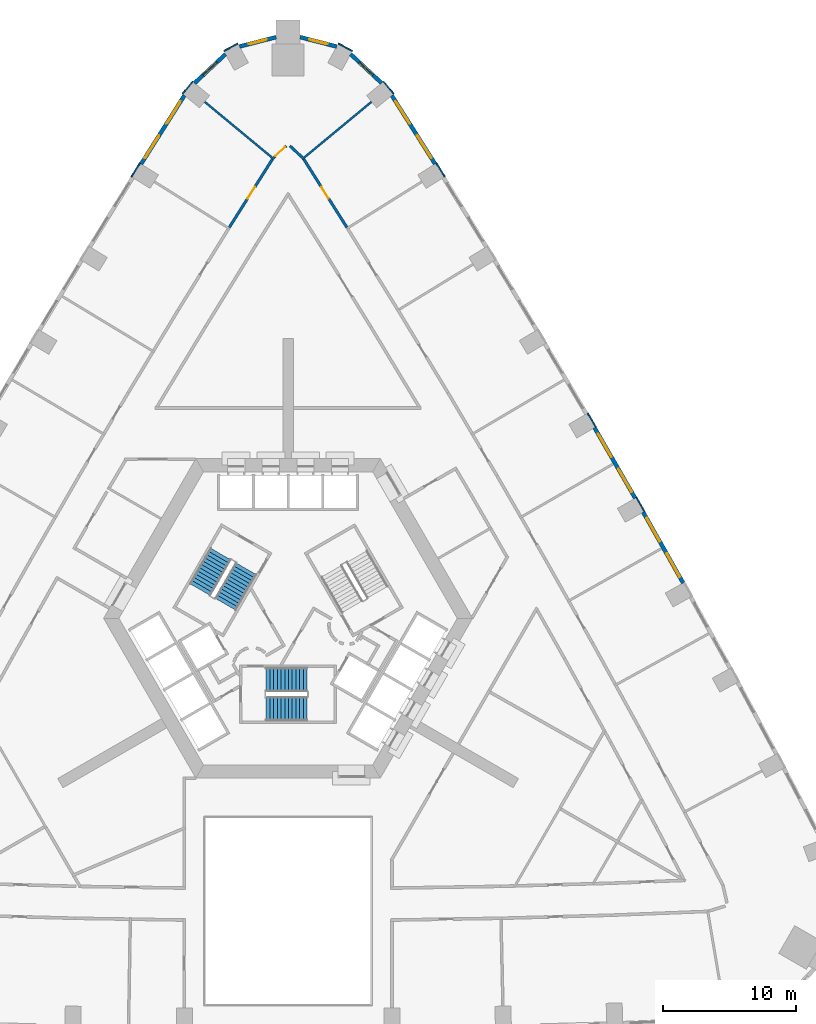
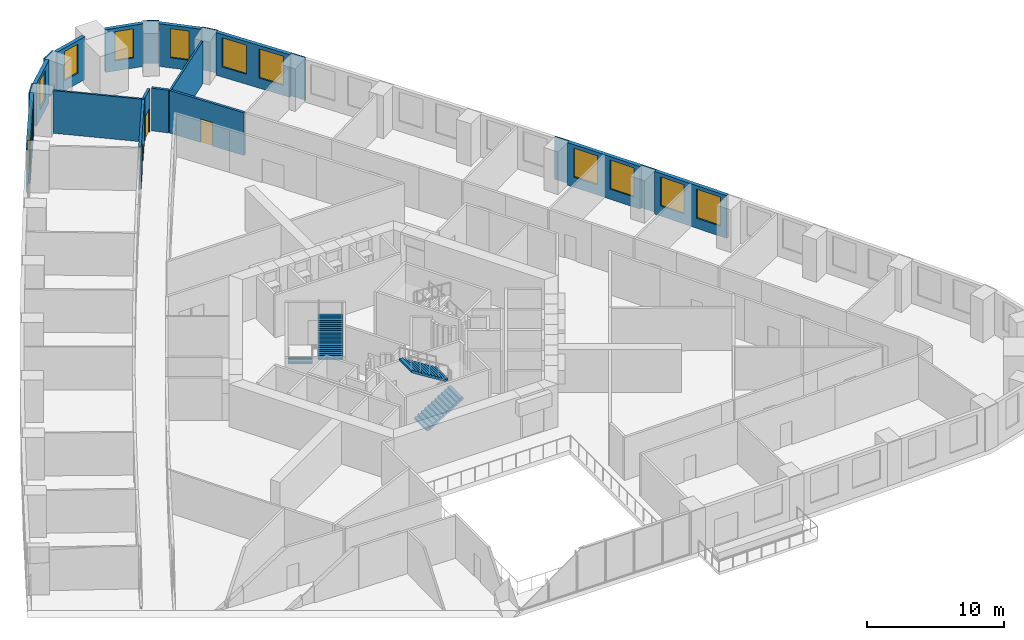
# One storey, part 12 of 15: 22 walls, 12 windows, 4 stair flights, 3 doors, 15 openings, 2 elements without a shape of their own.
"""IFC4 building model written with IfcOpenShell, lengths in metres."""

from ifc_helpers import new_model, si_unit, direction, frame, frame_2d, origin, place, context, subcontext, project, spatial, polyline, rectangle, outline, extrude, material, layer, layer_set, type_object, element, fill, aggregate, save


model = new_model("IFC4")

# Units and contexts
model_context = context("Model", 3, precision=1e-05, world=origin(), true_north=direction((0.0, 1.0)))
body_context = subcontext(model_context, "Body", "Model", "MODEL_VIEW")
ifc_project = project(units=[si_unit("LENGTHUNIT", "METRE"), si_unit("AREAUNIT", "SQUARE_METRE"), si_unit("VOLUMEUNIT", "CUBIC_METRE"), si_unit("PLANEANGLEUNIT", "RADIAN"), si_unit("MASSUNIT", "GRAM", prefix="KILO")], contexts=[model_context])

# Site, building, storey
site_placement = place(None, origin())
site = spatial("IfcSite", under=ifc_project, at=site_placement, CompositionType="ELEMENT")
building_placement = place(site_placement, origin())
building = spatial("IfcBuilding", under=site, at=building_placement, Name="Entoto Arch Interchange Tower", CompositionType="ELEMENT")
storey_placement = place(building_placement, frame((0.0, 0.0, 39.199951171875)))
storey = spatial("IfcBuildingStorey", under=building, at=storey_placement, Name="L07", CompositionType="ELEMENT", Elevation=39.199951171875)

# Walls
ifc_material_1 = material(Name="Gypsum board partition on steel studs", Category="steel")
ifc_layer_1 = layer(ifc_material_1, 0.14990234375)
ifc_layer_set_1 = layer_set([ifc_layer_1], Name="Gypsum board partition on steel studs")
wall_type_1 = type_object("IfcWallType", Name="PARTITION 150", PredefinedType="PARTITIONING", material=ifc_layer_set_1)
for number, where, z_axis, x_axis, name in (
    (1, (1.06005859375, 36.97998046875, 0.0), (0.0, 0.0, 1.0), (0.770307911054, 0.6376721118, 0.0), "wall:L07:p135"),
    (2, (-1.06005859375, 36.97998046875, 0.0), (0.0, 0.0, 1.0), (-0.770307911054, 0.6376721118, 0.0), "wall:L07:p136"),
):
    element("IfcWall", number, at=place(storey_placement, frame(where, z_axis=z_axis, x_axis=x_axis)), inside=storey, type_object=wall_type_1, Name=name, PredefinedType="PARTITIONING", context=body_context, shape_type="SweptSolid", body=[
        extrude(rectangle(XDim=6.748046875, YDim=0.14990234375, at=frame_2d((3.3740234375, 0.0))), origin(), (0.0, 0.0, 1.0), 3.800048828125),
    ])

# Wall, opening, door
ifc_layer_2 = layer(ifc_material_1, 0.199951171875)
ifc_layer_set_2 = layer_set([ifc_layer_2], Name="Gypsum board partition on steel studs")
wall_type_2 = type_object("IfcWallType", Name="PARTITION 200", PredefinedType="PARTITIONING", material=ifc_layer_set_2)
wall_1_placement = place(storey_placement, frame((1.123046875, 37.06494140625, 0.0), z_axis=(0.0, 0.0, 1.0), x_axis=(0.534428477307, -0.845213702352, 0.0)))
wall_1 = element("IfcWall", 3, at=wall_1_placement, inside=storey, type_object=wall_type_2, Name="wall:L07:p052", PredefinedType="PARTITIONING", context=body_context, shape_type="SweptSolid", body=[
    extrude(rectangle(XDim=6.157958984375, YDim=0.199951171875, at=frame_2d((3.0791015625, 0.0))), origin(), (0.0, 0.0, 1.0), 3.800048828125),
])
opening_1_placement = place(wall_1_placement, frame((2.5791015625, 0.0, 0.0)))
opening_1 = element("IfcOpeningElement", 4, at=opening_1_placement, cuts=wall_1, Name="Opening L07-D10", PredefinedType="OPENING", context=body_context, shape_type="SweptSolid", body=[
    extrude(rectangle(XDim=1.0, YDim=2.10009765625, at=frame_2d((0.5, 1.050048828125))), frame((0.0, 0.10986328125, 0.0), z_axis=(0.0, -1.0, 0.0), x_axis=(1.0, 0.0, 0.0)), (0.0, 0.0, 1.0), 0.219970703125),
])
ifc_material_2 = material(Name="Timber door leaf in Steel S235 frame", Category="steel")
door_type = type_object("IfcDoorType", Name="DOOR DS-10 1000x2100", OperationType="SINGLE_SWING_LEFT", PredefinedType="DOOR", material=ifc_material_2)
door_1_placement = place(opening_1_placement, origin())
door_1 = element("IfcDoor", 5, at=door_1_placement, inside=storey, type_object=door_type, Name="door:L07:10", OperationType="SINGLE_SWING_LEFT", OverallHeight=2.10009765625, OverallWidth=1.0, PredefinedType="DOOR", context=body_context, shape_type="SweptSolid", body=[
    extrude(rectangle(XDim=1.0, YDim=2.10009765625, at=frame_2d((0.5, 1.050048828125))), frame((0.0, 0.02490234375, 0.0), z_axis=(0.0, -1.0, 0.0), x_axis=(1.0, 0.0, 0.0)), (0.0, 0.0, 1.0), 0.050048828125),
])
fill(opening_1, door_1)

wall_2_placement = place(storey_placement, frame((-1.06396484375, 37.112060546875, 0.0), z_axis=(0.0, 0.0, 1.0), x_axis=(0.730320833825, 0.683104296342, 0.0)))
wall_2 = element("IfcWall", 6, at=wall_2_placement, inside=storey, type_object=wall_type_2, Name="wall:L07:p053", PredefinedType="PARTITIONING", context=body_context, shape_type="SweptSolid", body=[
    extrude(rectangle(XDim=1.27197265625, YDim=0.199951171875, at=frame_2d((0.635986328125, 0.0))), origin(), (0.0, 0.0, 1.0), 3.800048828125),
])
opening_2_placement = place(wall_2_placement, frame((0.135986328125, 0.0, 0.0)))
opening_2 = element("IfcOpeningElement", 7, at=opening_2_placement, cuts=wall_2, Name="Opening L07-D11", PredefinedType="OPENING", context=body_context, shape_type="SweptSolid", body=[
    extrude(rectangle(XDim=1.0, YDim=2.10009765625, at=frame_2d((0.5, 1.050048828125))), frame((0.0, 0.10986328125, 0.0), z_axis=(0.0, -1.0, 0.0), x_axis=(1.0, 0.0, 0.0)), (0.0, 0.0, 1.0), 0.219970703125),
])
door_2_placement = place(opening_2_placement, origin())
door_2 = element("IfcDoor", 8, at=door_2_placement, inside=storey, type_object=door_type, Name="door:L07:11", OperationType="SINGLE_SWING_RIGHT", OverallHeight=2.10009765625, OverallWidth=1.0, PredefinedType="DOOR", context=body_context, shape_type="SweptSolid", body=[
    extrude(rectangle(XDim=1.0, YDim=2.10009765625, at=frame_2d((0.5, 1.050048828125))), frame((0.0, 0.02490234375, 0.0), z_axis=(0.0, -1.0, 0.0), x_axis=(1.0, 0.0, 0.0)), (0.0, 0.0, 1.0), 0.050048828125),
])
fill(opening_2, door_2)

# Wall
wall_3_placement = place(storey_placement, frame((0.135009765625, 37.98095703125, 0.0), z_axis=(0.0, 0.0, 1.0), x_axis=(0.730320833825, -0.683104296342, 0.0)))
element("IfcWall", 9, at=wall_3_placement, inside=storey, type_object=wall_type_2, Name="wall:L07:p054", PredefinedType="PARTITIONING", context=body_context, shape_type="SweptSolid", body=[
    extrude(rectangle(XDim=1.27197265625, YDim=0.199951171875, at=frame_2d((0.635986328125, 0.0))), origin(), (0.0, 0.0, 1.0), 3.800048828125),
])

# Wall, opening, door
wall_4_placement = place(storey_placement, frame((-4.4140625, 31.860107421875, 0.0), z_axis=(0.0, 0.0, 1.0), x_axis=(0.534428477307, 0.845213702352, 0.0)))
wall_4 = element("IfcWall", 10, at=wall_4_placement, inside=storey, type_object=wall_type_2, Name="wall:L07:p055", PredefinedType="PARTITIONING", context=body_context, shape_type="SweptSolid", body=[
    extrude(rectangle(XDim=6.157958984375, YDim=0.199951171875, at=frame_2d((3.0791015625, 0.0))), origin(), (0.0, 0.0, 1.0), 3.800048828125),
])
opening_3_placement = place(wall_4_placement, frame((2.5791015625, 0.0, 0.0)))
opening_3 = element("IfcOpeningElement", 11, at=opening_3_placement, cuts=wall_4, Name="Opening L07-D12", PredefinedType="OPENING", context=body_context, shape_type="SweptSolid", body=[
    extrude(rectangle(XDim=1.0, YDim=2.10009765625, at=frame_2d((0.5, 1.050048828125))), frame((0.0, 0.10986328125, 0.0), z_axis=(0.0, -1.0, 0.0), x_axis=(1.0, 0.0, 0.0)), (0.0, 0.0, 1.0), 0.219970703125),
])
door_3_placement = place(opening_3_placement, origin())
door_3 = element("IfcDoor", 12, at=door_3_placement, inside=storey, type_object=door_type, Name="door:L07:12", OperationType="SINGLE_SWING_LEFT", OverallHeight=2.10009765625, OverallWidth=1.0, PredefinedType="DOOR", context=body_context, shape_type="SweptSolid", body=[
    extrude(rectangle(XDim=1.0, YDim=2.10009765625, at=frame_2d((0.5, 1.050048828125))), frame((0.0, 0.02490234375, 0.0), z_axis=(0.0, -1.0, 0.0), x_axis=(1.0, 0.0, 0.0)), (0.0, 0.0, 1.0), 0.050048828125),
])
fill(opening_3, door_3)

# Wall, openings, windows
ifc_material_3 = material(Name="Welded tuff (ignimbrite) cladding, warm buff", Category="masonry")
ifc_layer_3 = layer(ifc_material_3, 0.300048828125)
ifc_layer_set_3 = layer_set([ifc_layer_3], Name="Welded tuff (ignimbrite) cladding, warm buff")
wall_type_3 = type_object("IfcWallType", Name="STONE INFILL WALL 300", PredefinedType="STANDARD", material=ifc_layer_set_3)
wall_5_placement = place(storey_placement, frame((29.672119140625, 5.154052734375, 0.0), z_axis=(0.0, 0.0, 1.0), x_axis=(-0.491278487323, 0.871002553322, 0.0)))
wall_5 = element("IfcWall", 13, at=wall_5_placement, inside=storey, type_object=wall_type_3, Name="Facade wall NE-04 L07", PredefinedType="STANDARD", context=body_context, shape_type="SweptSolid", body=[
    extrude(rectangle(XDim=6.116943359375, YDim=0.300048828125, at=frame_2d((3.05859375, 0.0))), origin(), (0.0, 0.0, 1.0), 3.800048828125),
])
opening_4_placement = place(wall_5_placement, frame((0.529052734375, 0.0, 0.89990234375)))
opening_4 = element("IfcOpeningElement", 14, at=opening_4_placement, cuts=wall_5, Name="Opening WO-C", PredefinedType="OPENING", context=body_context, shape_type="SweptSolid", body=[
    extrude(rectangle(XDim=2.0, YDim=2.60009765625, at=frame_2d((1.0, 1.300048828125))), frame((0.0, 0.16015625, 0.0), z_axis=(0.0, -1.0, 0.0), x_axis=(1.0, 0.0, 0.0)), (0.0, 0.0, 1.0), 0.320068359375),
])
opening_5_placement = place(wall_5_placement, frame((3.587890625, 0.0, 0.89990234375)))
opening_5 = element("IfcOpeningElement", 15, at=opening_5_placement, cuts=wall_5, Name="Opening WO-C", PredefinedType="OPENING", context=body_context, shape_type="SweptSolid", body=[
    extrude(rectangle(XDim=2.0, YDim=2.60009765625, at=frame_2d((1.0, 1.300048828125))), frame((0.0, 0.16015625, 0.0), z_axis=(0.0, -1.0, 0.0), x_axis=(1.0, 0.0, 0.0)), (0.0, 0.0, 1.0), 0.320068359375),
])
ifc_material_4 = material(Name="Clear glass, low-e double glazed", Category="glass")
window_type_1 = type_object("IfcWindowType", Name="WINDOW WO-C 2000x2600", PartitioningType="DOUBLE_PANEL_VERTICAL", PredefinedType="WINDOW", material=ifc_material_4)
window_1_placement = place(opening_4_placement, origin())
window_1 = element("IfcWindow", 16, at=window_1_placement, inside=storey, type_object=window_type_1, Name="Window WO-C NE-04 L07", OverallHeight=2.60009765625, OverallWidth=2.0, PartitioningType="SINGLE_PANEL", PredefinedType="WINDOW", context=body_context, shape_type="SweptSolid", body=[
    extrude(rectangle(XDim=2.0, YDim=2.60009765625, at=frame_2d((1.0, 1.300048828125))), frame((0.0, 0.030029296875, 0.0), z_axis=(0.0, -1.0, 0.0), x_axis=(1.0, 0.0, 0.0)), (0.0, 0.0, 1.0), 0.06005859375),
])
fill(opening_4, window_1)
window_2_placement = place(opening_5_placement, origin())
window_2 = element("IfcWindow", 17, at=window_2_placement, inside=storey, type_object=window_type_1, Name="Window WO-C NE-04 L07", OverallHeight=2.60009765625, OverallWidth=2.0, PartitioningType="SINGLE_PANEL", PredefinedType="WINDOW", context=body_context, shape_type="SweptSolid", body=[
    extrude(rectangle(XDim=2.0, YDim=2.60009765625, at=frame_2d((1.0, 1.300048828125))), frame((0.0, 0.030029296875, 0.0), z_axis=(0.0, -1.0, 0.0), x_axis=(1.0, 0.0, 0.0)), (0.0, 0.0, 1.0), 0.06005859375),
])
fill(opening_5, window_2)

wall_6_placement = place(storey_placement, frame((26.072998046875, 11.52197265625, 0.0), z_axis=(0.0, 0.0, 1.0), x_axis=(-0.499976985038, 0.866038691071, 0.0)))
wall_6 = element("IfcWall", 18, at=wall_6_placement, inside=storey, type_object=wall_type_3, Name="Facade wall NE-05 L07", PredefinedType="STANDARD", context=body_context, shape_type="SweptSolid", body=[
    extrude(rectangle(XDim=6.116455078125, YDim=0.300048828125, at=frame_2d((3.05810546875, 0.0))), origin(), (0.0, 0.0, 1.0), 3.800048828125),
])
opening_6_placement = place(wall_6_placement, frame((0.529052734375, 0.0, 0.89990234375)))
opening_6 = element("IfcOpeningElement", 19, at=opening_6_placement, cuts=wall_6, Name="Opening WO-C", PredefinedType="OPENING", context=body_context, shape_type="SweptSolid", body=[
    extrude(rectangle(XDim=2.0, YDim=2.60009765625, at=frame_2d((1.0, 1.300048828125))), frame((0.0, 0.16015625, 0.0), z_axis=(0.0, -1.0, 0.0), x_axis=(1.0, 0.0, 0.0)), (0.0, 0.0, 1.0), 0.320068359375),
])
opening_7_placement = place(wall_6_placement, frame((3.5869140625, 0.0, 0.89990234375)))
opening_7 = element("IfcOpeningElement", 20, at=opening_7_placement, cuts=wall_6, Name="Opening WO-C", PredefinedType="OPENING", context=body_context, shape_type="SweptSolid", body=[
    extrude(rectangle(XDim=2.0, YDim=2.60009765625, at=frame_2d((1.0, 1.300048828125))), frame((0.0, 0.16015625, 0.0), z_axis=(0.0, -1.0, 0.0), x_axis=(1.0, 0.0, 0.0)), (0.0, 0.0, 1.0), 0.320068359375),
])
window_3_placement = place(opening_6_placement, origin())
window_3 = element("IfcWindow", 21, at=window_3_placement, inside=storey, type_object=window_type_1, Name="Window WO-C NE-05 L07", OverallHeight=2.60009765625, OverallWidth=2.0, PartitioningType="SINGLE_PANEL", PredefinedType="WINDOW", context=body_context, shape_type="SweptSolid", body=[
    extrude(rectangle(XDim=2.0, YDim=2.60009765625, at=frame_2d((1.0, 1.300048828125))), frame((0.0, 0.030029296875, 0.0), z_axis=(0.0, -1.0, 0.0), x_axis=(1.0, 0.0, 0.0)), (0.0, 0.0, 1.0), 0.06005859375),
])
fill(opening_6, window_3)
window_4_placement = place(opening_7_placement, origin())
window_4 = element("IfcWindow", 22, at=window_4_placement, inside=storey, type_object=window_type_1, Name="Window WO-C NE-05 L07", OverallHeight=2.60009765625, OverallWidth=2.0, PartitioningType="SINGLE_PANEL", PredefinedType="WINDOW", context=body_context, shape_type="SweptSolid", body=[
    extrude(rectangle(XDim=2.0, YDim=2.60009765625, at=frame_2d((1.0, 1.300048828125))), frame((0.0, 0.030029296875, 0.0), z_axis=(0.0, -1.0, 0.0), x_axis=(1.0, 0.0, 0.0)), (0.0, 0.0, 1.0), 0.06005859375),
])
fill(opening_7, window_4)

wall_7_placement = place(storey_placement, frame((11.044921875, 36.623046875, 0.0), z_axis=(0.0, 0.0, 1.0), x_axis=(-0.53437888117, 0.845245059944, 0.0)))
wall_7 = element("IfcWall", 23, at=wall_7_placement, inside=storey, type_object=wall_type_3, Name="Facade wall NE-09 L07", PredefinedType="STANDARD", context=body_context, shape_type="SweptSolid", body=[
    extrude(rectangle(XDim=6.0927734375, YDim=0.300048828125, at=frame_2d((3.04638671875, 0.0))), origin(), (0.0, 0.0, 1.0), 3.800048828125),
])
opening_8_placement = place(wall_7_placement, frame((0.52294921875, 0.0, 0.89990234375)))
opening_8 = element("IfcOpeningElement", 24, at=opening_8_placement, cuts=wall_7, Name="Opening WO-C", PredefinedType="OPENING", context=body_context, shape_type="SweptSolid", body=[
    extrude(rectangle(XDim=2.0, YDim=2.60009765625, at=frame_2d((1.0, 1.300048828125))), frame((0.0, 0.16015625, 0.0), z_axis=(0.0, -1.0, 0.0), x_axis=(1.0, 0.0, 0.0)), (0.0, 0.0, 1.0), 0.320068359375),
])
opening_9_placement = place(wall_7_placement, frame((3.570068359375, 0.0, 0.89990234375)))
opening_9 = element("IfcOpeningElement", 25, at=opening_9_placement, cuts=wall_7, Name="Opening WO-C", PredefinedType="OPENING", context=body_context, shape_type="SweptSolid", body=[
    extrude(rectangle(XDim=2.0, YDim=2.60009765625, at=frame_2d((1.0, 1.300048828125))), frame((0.0, 0.16015625, 0.0), z_axis=(0.0, -1.0, 0.0), x_axis=(1.0, 0.0, 0.0)), (0.0, 0.0, 1.0), 0.320068359375),
])
window_5_placement = place(opening_8_placement, origin())
window_5 = element("IfcWindow", 26, at=window_5_placement, inside=storey, type_object=window_type_1, Name="Window WO-C NE-09 L07", OverallHeight=2.60009765625, OverallWidth=2.0, PartitioningType="SINGLE_PANEL", PredefinedType="WINDOW", context=body_context, shape_type="SweptSolid", body=[
    extrude(rectangle(XDim=2.0, YDim=2.60009765625, at=frame_2d((1.0, 1.300048828125))), frame((0.0, 0.030029296875, 0.0), z_axis=(0.0, -1.0, 0.0), x_axis=(1.0, 0.0, 0.0)), (0.0, 0.0, 1.0), 0.06005859375),
])
fill(opening_8, window_5)
window_6_placement = place(opening_9_placement, origin())
window_6 = element("IfcWindow", 27, at=window_6_placement, inside=storey, type_object=window_type_1, Name="Window WO-C NE-09 L07", OverallHeight=2.60009765625, OverallWidth=2.0, PartitioningType="SINGLE_PANEL", PredefinedType="WINDOW", context=body_context, shape_type="SweptSolid", body=[
    extrude(rectangle(XDim=2.0, YDim=2.60009765625, at=frame_2d((1.0, 1.300048828125))), frame((0.0, 0.030029296875, 0.0), z_axis=(0.0, -1.0, 0.0), x_axis=(1.0, 0.0, 0.0)), (0.0, 0.0, 1.0), 0.06005859375),
])
fill(opening_9, window_6)

# Wall, opening, window
wall_8_placement = place(storey_placement, frame((7.02490234375, 42.696044921875, 0.0), z_axis=(0.0, 0.0, 1.0), x_axis=(-0.730600984463, 0.682804658377, 0.0)))
wall_8 = element("IfcWall", 28, at=wall_8_placement, inside=storey, type_object=wall_type_3, Name="Facade wall N-01 L07", PredefinedType="STANDARD", context=body_context, shape_type="SweptSolid", body=[
    extrude(rectangle(XDim=3.18212890625, YDim=0.300048828125, at=frame_2d((1.591064453125, 0.0))), origin(), (0.0, 0.0, 1.0), 3.800048828125),
])
opening_10_placement = place(wall_8_placement, frame((0.89111328125, 0.0, 0.89990234375)))
opening_10 = element("IfcOpeningElement", 29, at=opening_10_placement, cuts=wall_8, Name="Opening WO-B", PredefinedType="OPENING", context=body_context, shape_type="SweptSolid", body=[
    extrude(rectangle(XDim=1.39990234375, YDim=2.60009765625, at=frame_2d((0.699951171875, 1.300048828125))), frame((0.0, 0.16015625, 0.0), z_axis=(0.0, -1.0, 0.0), x_axis=(1.0, 0.0, 0.0)), (0.0, 0.0, 1.0), 0.320068359375),
])
window_type_2 = type_object("IfcWindowType", Name="WINDOW WO-B 1400x2600", PartitioningType="DOUBLE_PANEL_VERTICAL", PredefinedType="WINDOW", material=ifc_material_4)
window_7_placement = place(opening_10_placement, origin())
window_7 = element("IfcWindow", 30, at=window_7_placement, inside=storey, type_object=window_type_2, Name="Window WO-B N-01 L07", OverallHeight=2.60009765625, OverallWidth=1.39990234375, PartitioningType="SINGLE_PANEL", PredefinedType="WINDOW", context=body_context, shape_type="SweptSolid", body=[
    extrude(rectangle(XDim=1.39990234375, YDim=2.60009765625, at=frame_2d((0.699951171875, 1.300048828125))), frame((0.0, 0.030029296875, 0.0), z_axis=(0.0, -1.0, 0.0), x_axis=(1.0, 0.0, 0.0)), (0.0, 0.0, 1.0), 0.06005859375),
])
fill(opening_10, window_7)

wall_9_placement = place(storey_placement, frame((3.64990234375, 45.444091796875, 0.0), z_axis=(0.0, 0.0, 1.0), x_axis=(-0.96879262207, 0.247872659694, 0.0)))
wall_9 = element("IfcWall", 31, at=wall_9_placement, inside=storey, type_object=wall_type_3, Name="Facade wall N-02 L07", PredefinedType="STANDARD", context=body_context, shape_type="SweptSolid", body=[
    extrude(rectangle(XDim=2.839599609375, YDim=0.300048828125, at=frame_2d((1.419921875, 0.0))), origin(), (0.0, 0.0, 1.0), 3.800048828125),
])
opening_11_placement = place(wall_9_placement, frame((0.719970703125, 0.0, 0.89990234375)))
opening_11 = element("IfcOpeningElement", 32, at=opening_11_placement, cuts=wall_9, Name="Opening WO-B", PredefinedType="OPENING", context=body_context, shape_type="SweptSolid", body=[
    extrude(rectangle(XDim=1.39990234375, YDim=2.60009765625, at=frame_2d((0.699951171875, 1.300048828125))), frame((0.0, 0.16015625, 0.0), z_axis=(0.0, -1.0, 0.0), x_axis=(1.0, 0.0, 0.0)), (0.0, 0.0, 1.0), 0.320068359375),
])
window_8_placement = place(opening_11_placement, origin())
window_8 = element("IfcWindow", 33, at=window_8_placement, inside=storey, type_object=window_type_2, Name="Window WO-B N-02 L07", OverallHeight=2.60009765625, OverallWidth=1.39990234375, PartitioningType="SINGLE_PANEL", PredefinedType="WINDOW", context=body_context, shape_type="SweptSolid", body=[
    extrude(rectangle(XDim=1.39990234375, YDim=2.60009765625, at=frame_2d((0.699951171875, 1.300048828125))), frame((0.0, 0.030029296875, 0.0), z_axis=(0.0, -1.0, 0.0), x_axis=(1.0, 0.0, 0.0)), (0.0, 0.0, 1.0), 0.06005859375),
])
fill(opening_11, window_8)

wall_10_placement = place(storey_placement, frame((-0.89892578125, 46.14794921875, 0.0), z_axis=(0.0, 0.0, 1.0), x_axis=(-0.96879262207, -0.247872659694, 0.0)))
wall_10 = element("IfcWall", 34, at=wall_10_placement, inside=storey, type_object=wall_type_3, Name="Facade wall N-03 L07", PredefinedType="STANDARD", context=body_context, shape_type="SweptSolid", body=[
    extrude(rectangle(XDim=2.839599609375, YDim=0.300048828125, at=frame_2d((1.419921875, 0.0))), origin(), (0.0, 0.0, 1.0), 3.800048828125),
])
opening_12_placement = place(wall_10_placement, frame((0.719970703125, 0.0, 0.89990234375)))
opening_12 = element("IfcOpeningElement", 35, at=opening_12_placement, cuts=wall_10, Name="Opening WO-B", PredefinedType="OPENING", context=body_context, shape_type="SweptSolid", body=[
    extrude(rectangle(XDim=1.39990234375, YDim=2.60009765625, at=frame_2d((0.699951171875, 1.300048828125))), frame((0.0, 0.16015625, 0.0), z_axis=(0.0, -1.0, 0.0), x_axis=(1.0, 0.0, 0.0)), (0.0, 0.0, 1.0), 0.320068359375),
])
window_9_placement = place(opening_12_placement, origin())
window_9 = element("IfcWindow", 36, at=window_9_placement, inside=storey, type_object=window_type_2, Name="Window WO-B N-03 L07", OverallHeight=2.60009765625, OverallWidth=1.39990234375, PartitioningType="SINGLE_PANEL", PredefinedType="WINDOW", context=body_context, shape_type="SweptSolid", body=[
    extrude(rectangle(XDim=1.39990234375, YDim=2.60009765625, at=frame_2d((0.699951171875, 1.300048828125))), frame((0.0, 0.030029296875, 0.0), z_axis=(0.0, -1.0, 0.0), x_axis=(1.0, 0.0, 0.0)), (0.0, 0.0, 1.0), 0.06005859375),
])
fill(opening_12, window_9)

wall_11_placement = place(storey_placement, frame((-4.699951171875, 44.868896484375, 0.0), z_axis=(0.0, 0.0, 1.0), x_axis=(-0.730600984463, -0.682804658377, 0.0)))
wall_11 = element("IfcWall", 37, at=wall_11_placement, inside=storey, type_object=wall_type_3, Name="Facade wall N-04 L07", PredefinedType="STANDARD", context=body_context, shape_type="SweptSolid", body=[
    extrude(rectangle(XDim=3.18212890625, YDim=0.300048828125, at=frame_2d((1.591064453125, 0.0))), origin(), (0.0, 0.0, 1.0), 3.800048828125),
])
opening_13_placement = place(wall_11_placement, frame((0.89111328125, 0.0, 0.89990234375)))
opening_13 = element("IfcOpeningElement", 38, at=opening_13_placement, cuts=wall_11, Name="Opening WO-B", PredefinedType="OPENING", context=body_context, shape_type="SweptSolid", body=[
    extrude(rectangle(XDim=1.39990234375, YDim=2.60009765625, at=frame_2d((0.699951171875, 1.300048828125))), frame((0.0, 0.16015625, 0.0), z_axis=(0.0, -1.0, 0.0), x_axis=(1.0, 0.0, 0.0)), (0.0, 0.0, 1.0), 0.320068359375),
])
window_10_placement = place(opening_13_placement, origin())
window_10 = element("IfcWindow", 39, at=window_10_placement, inside=storey, type_object=window_type_2, Name="Window WO-B N-04 L07", OverallHeight=2.60009765625, OverallWidth=1.39990234375, PartitioningType="SINGLE_PANEL", PredefinedType="WINDOW", context=body_context, shape_type="SweptSolid", body=[
    extrude(rectangle(XDim=1.39990234375, YDim=2.60009765625, at=frame_2d((0.699951171875, 1.300048828125))), frame((0.0, 0.030029296875, 0.0), z_axis=(0.0, -1.0, 0.0), x_axis=(1.0, 0.0, 0.0)), (0.0, 0.0, 1.0), 0.06005859375),
])
fill(opening_13, window_10)

# Wall, openings, windows
wall_12_placement = place(storey_placement, frame((-7.7890625, 41.77294921875, 0.0), z_axis=(0.0, 0.0, 1.0), x_axis=(-0.53437888117, -0.845245059944, 0.0)))
wall_12 = element("IfcWall", 40, at=wall_12_placement, inside=storey, type_object=wall_type_3, Name="Facade wall NW-01 L07", PredefinedType="STANDARD", context=body_context, shape_type="SweptSolid", body=[
    extrude(rectangle(XDim=6.0927734375, YDim=0.300048828125, at=frame_2d((3.04638671875, 0.0))), origin(), (0.0, 0.0, 1.0), 3.800048828125),
])
opening_14_placement = place(wall_12_placement, frame((0.52294921875, 0.0, 0.89990234375)))
opening_14 = element("IfcOpeningElement", 41, at=opening_14_placement, cuts=wall_12, Name="Opening WO-C", PredefinedType="OPENING", context=body_context, shape_type="SweptSolid", body=[
    extrude(rectangle(XDim=2.0, YDim=2.60009765625, at=frame_2d((1.0, 1.300048828125))), frame((0.0, 0.16015625, 0.0), z_axis=(0.0, -1.0, 0.0), x_axis=(1.0, 0.0, 0.0)), (0.0, 0.0, 1.0), 0.320068359375),
])
opening_15_placement = place(wall_12_placement, frame((3.570068359375, 0.0, 0.89990234375)))
opening_15 = element("IfcOpeningElement", 42, at=opening_15_placement, cuts=wall_12, Name="Opening WO-C", PredefinedType="OPENING", context=body_context, shape_type="SweptSolid", body=[
    extrude(rectangle(XDim=2.0, YDim=2.60009765625, at=frame_2d((1.0, 1.300048828125))), frame((0.0, 0.16015625, 0.0), z_axis=(0.0, -1.0, 0.0), x_axis=(1.0, 0.0, 0.0)), (0.0, 0.0, 1.0), 0.320068359375),
])
window_11_placement = place(opening_14_placement, origin())
window_11 = element("IfcWindow", 43, at=window_11_placement, inside=storey, type_object=window_type_1, Name="Window WO-C NW-01 L07", OverallHeight=2.60009765625, OverallWidth=2.0, PartitioningType="SINGLE_PANEL", PredefinedType="WINDOW", context=body_context, shape_type="SweptSolid", body=[
    extrude(rectangle(XDim=2.0, YDim=2.60009765625, at=frame_2d((1.0, 1.300048828125))), frame((0.0, 0.030029296875, 0.0), z_axis=(0.0, -1.0, 0.0), x_axis=(1.0, 0.0, 0.0)), (0.0, 0.0, 1.0), 0.06005859375),
])
fill(opening_14, window_11)
window_12_placement = place(opening_15_placement, origin())
window_12 = element("IfcWindow", 44, at=window_12_placement, inside=storey, type_object=window_type_1, Name="Window WO-C NW-01 L07", OverallHeight=2.60009765625, OverallWidth=2.0, PartitioningType="SINGLE_PANEL", PredefinedType="WINDOW", context=body_context, shape_type="SweptSolid", body=[
    extrude(rectangle(XDim=2.0, YDim=2.60009765625, at=frame_2d((1.0, 1.300048828125))), frame((0.0, 0.030029296875, 0.0), z_axis=(0.0, -1.0, 0.0), x_axis=(1.0, 0.0, 0.0)), (0.0, 0.0, 1.0), 0.06005859375),
])
fill(opening_15, window_12)

# Walls
ifc_layer_4 = layer(ifc_material_3, 0.10009765625)
ifc_layer_set_4 = layer_set([ifc_layer_4], Name="Welded tuff (ignimbrite) cladding, warm buff")
wall_type_4 = type_object("IfcWallType", Name="STONE PIER CLADDING 100", PredefinedType="STANDARD", material=ifc_layer_set_4)
for number, where, z_axis, x_axis, name in (
    (45, (4.824951171875, 45.094970703125, 0.0), (0.0, 0.0, 1.0), (-0.877155474831, 0.480206489934, 0.0), "Stone pier N1 L07"),
    (46, (-3.77294921875, 45.6708984375, 0.0), (0.0, 0.0, 1.0), (-0.877155474831, -0.480206489934, 0.0), "Stone pier N3 L07"),
):
    element("IfcWall", number, at=place(storey_placement, frame(where, z_axis=z_axis, x_axis=x_axis)), inside=storey, type_object=wall_type_4, Name=name, PredefinedType="STANDARD", context=body_context, shape_type="SweptSolid", body=[
        extrude(rectangle(XDim=1.19921875, YDim=0.10009765625, at=frame_2d((0.599609375, 0.0))), origin(), (0.0, 0.0, 1.0), 3.800048828125),
    ])
wall_13_placement = place(storey_placement, frame((26.757080078125, 10.531982421875, 0.0), z_axis=(0.0, 0.0, 1.0), x_axis=(-0.495854054996, 0.868405870629, 0.0)))
element("IfcWall", 47, at=wall_13_placement, inside=storey, type_object=wall_type_4, Name="Stone pier NE05 L07", PredefinedType="STANDARD", context=body_context, shape_type="SweptSolid", body=[
    extrude(rectangle(XDim=1.199951171875, YDim=0.10009765625, at=frame_2d((0.60009765625, 0.0))), origin(), (0.0, 0.0, 1.0), 3.800048828125),
])
wall_14_placement = place(storey_placement, frame((23.10400390625, 16.8701171875, 0.0), z_axis=(0.0, 0.0, 1.0), x_axis=(-0.504313844903, 0.863520437418, 0.0)))
element("IfcWall", 48, at=wall_14_placement, inside=storey, type_object=wall_type_4, Name="Stone pier NE06 L07", PredefinedType="STANDARD", context=body_context, shape_type="SweptSolid", body=[
    extrude(rectangle(XDim=1.19970703125, YDim=0.10009765625, at=frame_2d((0.599853515625, 0.0))), origin(), (0.0, 0.0, 1.0), 3.800048828125),
])
for number, where, z_axis, x_axis, name in (
    (49, (11.76806640625, 35.660888671875, 0.0), (0.0, 0.0, 1.0), (-0.53018187123, 0.847883944546, 0.0), "Stone pier NE09 L07"),
    (50, (7.927001953125, 41.885986328125, 0.0), (0.0, 0.0, 1.0), (-0.637638520791, 0.770335716947, 0.0), "Stone pier NE10 L07"),
    (51, (-7.162109375, 42.81005859375, 0.0), (0.0, 0.0, 1.0), (-0.637638520791, -0.770335716947, 0.0), "Stone pier NW01 L07"),
    (52, (-11.132080078125, 36.677978515625, 0.0), (0.0, 0.0, 1.0), (-0.53018187123, -0.847883944546, 0.0), "Stone pier NW02 L07"),
):
    element("IfcWall", number, at=place(storey_placement, frame(where, z_axis=z_axis, x_axis=x_axis)), inside=storey, type_object=wall_type_4, Name=name, PredefinedType="STANDARD", context=body_context, shape_type="SweptSolid", body=[
        extrude(rectangle(XDim=1.199462890625, YDim=0.10009765625, at=frame_2d((0.599609375, 0.0))), origin(), (0.0, 0.0, 1.0), 3.800048828125),
    ])

# Stair, stair flights
ifc_material_5 = material(Name="Concrete C40/50", Category="concrete")
stair_type = type_object("IfcStairType", Name="EXIT STAIR RC 1800", PredefinedType="HALF_TURN_STAIR", material=ifc_material_5)
stair_1_placement = place(storey_placement, origin())
stair_1 = element("IfcStair", 53, at=stair_1_placement, inside=storey, type_object=stair_type, Name="L07 Exit stair S", PredefinedType="HALF_TURN_STAIR")
stair_flight_type = type_object("IfcStairFlightType", Name="EXIT STAIR FLIGHT RC 1800", PredefinedType="STRAIGHT", material=ifc_material_5)
stair_flight_1_placement = place(storey_placement, frame((-1.64990234375, -4.300048828125, 0.0), z_axis=(0.0, 0.0, 1.0), x_axis=(1.0, 0.0, 0.0)))
stair_flight_1 = element("IfcStairFlight", 54, at=stair_flight_1_placement, type_object=stair_flight_type, Name="ST-S flight 1", NumberOfRisers=12, NumberOfTreads=11, PredefinedType="STRAIGHT", RiserHeight=0.175, TreadLength=0.28, context=body_context, shape_type="SweptSolid", body=[
    extrude(outline(polyline([(-0.0029296875, 0.0), (-0.0029296875, 0.175048828125), (0.280029296875, 0.175048828125), (0.280029296875, 0.35009765625), (0.56005859375, 0.35009765625), (0.56005859375, 0.52490234375), (0.840087890625, 0.52490234375), (0.840087890625, 0.699951171875), (1.1201171875, 0.699951171875), (1.1201171875, 0.875), (1.39990234375, 0.875), (1.39990234375, 1.050048828125), (1.679931640625, 1.050048828125), (1.679931640625, 1.22509765625), (1.9599609375, 1.22509765625), (1.9599609375, 1.39990234375), (2.239990234375, 1.39990234375), (2.239990234375, 1.574951171875), (2.52001953125, 1.574951171875), (2.52001953125, 1.75), (2.800048828125, 1.75), (2.800048828125, 1.925048828125), (3.080078125, 1.925048828125), (3.0830078125, 1.925048828125), (3.0830078125, 1.75), (0.28271484375, 0.0), (-0.0029296875, 0.0)])), frame((0.0, 0.89990234375, 0.0), z_axis=(0.0, -1.0, 0.0), x_axis=(1.0, 0.0, 0.0)), (0.0, 0.0, 1.0), 1.800048828125),
])
stair_flight_2_placement = place(storey_placement, frame((1.429931640625, -2.10009765625, 2.10009765625), z_axis=(0.0, 0.0, 1.0), x_axis=(-1.0, 0.0, 0.0)))
stair_flight_2 = element("IfcStairFlight", 55, at=stair_flight_2_placement, type_object=stair_flight_type, Name="ST-S flight 2", NumberOfRisers=12, NumberOfTreads=11, PredefinedType="STRAIGHT", RiserHeight=0.175, TreadLength=0.28, context=body_context, shape_type="SweptSolid", body=[
    extrude(outline(polyline([(-0.0029296875, 0.0), (-0.0029296875, 0.175048828125), (0.280029296875, 0.175048828125), (0.280029296875, 0.35009765625), (0.56005859375, 0.35009765625), (0.56005859375, 0.52490234375), (0.840087890625, 0.52490234375), (0.840087890625, 0.699951171875), (1.1201171875, 0.699951171875), (1.1201171875, 0.875), (1.39990234375, 0.875), (1.39990234375, 1.050048828125), (1.679931640625, 1.050048828125), (1.679931640625, 1.22509765625), (1.9599609375, 1.22509765625), (1.9599609375, 1.39990234375), (2.239990234375, 1.39990234375), (2.239990234375, 1.574951171875), (2.52001953125, 1.574951171875), (2.52001953125, 1.75), (2.800048828125, 1.75), (2.800048828125, 1.925048828125), (3.080078125, 1.925048828125), (3.0830078125, 1.925048828125), (3.0830078125, 1.75), (0.28271484375, 0.0), (-0.0029296875, 0.0)])), frame((0.0, 0.89990234375, 0.0), z_axis=(0.0, -1.0, 0.0), x_axis=(1.0, 0.0, 0.0)), (0.0, 0.0, 1.0), 1.800048828125),
])
aggregate(stair_1, [stair_flight_1, stair_flight_2])

stair_2_placement = place(storey_placement, origin())
stair_2 = element("IfcStair", 56, at=stair_2_placement, inside=storey, type_object=stair_type, Name="L07 Exit stair NW", PredefinedType="HALF_TURN_STAIR")
stair_flight_3_placement = place(storey_placement, frame((-5.06396484375, 7.328857421875, 0.0), z_axis=(0.0, 0.0, 1.0), x_axis=(-0.5, -0.866025403784, 0.0)))
stair_flight_3 = element("IfcStairFlight", 57, at=stair_flight_3_placement, type_object=stair_flight_type, Name="ST-NW flight 1", NumberOfRisers=12, NumberOfTreads=11, PredefinedType="STRAIGHT", RiserHeight=0.175, TreadLength=0.28, context=body_context, shape_type="SweptSolid", body=[
    extrude(outline(polyline([(-0.0029296875, 0.0), (-0.0029296875, 0.175048828125), (0.280029296875, 0.175048828125), (0.280029296875, 0.35009765625), (0.56005859375, 0.35009765625), (0.56005859375, 0.52490234375), (0.840087890625, 0.52490234375), (0.840087890625, 0.699951171875), (1.1201171875, 0.699951171875), (1.1201171875, 0.875), (1.39990234375, 0.875), (1.39990234375, 1.050048828125), (1.679931640625, 1.050048828125), (1.679931640625, 1.22509765625), (1.9599609375, 1.22509765625), (1.9599609375, 1.39990234375), (2.239990234375, 1.39990234375), (2.239990234375, 1.574951171875), (2.52001953125, 1.574951171875), (2.52001953125, 1.75), (2.800048828125, 1.75), (2.800048828125, 1.925048828125), (3.080078125, 1.925048828125), (3.0830078125, 1.925048828125), (3.0830078125, 1.75), (0.28271484375, 0.0), (-0.0029296875, 0.0)])), frame((0.0, 0.89990234375, 0.0), z_axis=(0.0, -1.0, 0.0), x_axis=(1.0, 0.0, 0.0)), (0.0, 0.0, 1.0), 1.800048828125),
])
stair_flight_4_placement = place(storey_placement, frame((-4.69873046875, 3.5615234375, 2.10009765625), z_axis=(0.0, 0.0, 1.0), x_axis=(0.5, 0.866025403784, 0.0)))
stair_flight_4 = element("IfcStairFlight", 58, at=stair_flight_4_placement, type_object=stair_flight_type, Name="ST-NW flight 2", NumberOfRisers=12, NumberOfTreads=11, PredefinedType="STRAIGHT", RiserHeight=0.175, TreadLength=0.28, context=body_context, shape_type="SweptSolid", body=[
    extrude(outline(polyline([(-0.0029296875, 0.0), (-0.0029296875, 0.175048828125), (0.280029296875, 0.175048828125), (0.280029296875, 0.35009765625), (0.56005859375, 0.35009765625), (0.56005859375, 0.52490234375), (0.840087890625, 0.52490234375), (0.840087890625, 0.699951171875), (1.1201171875, 0.699951171875), (1.1201171875, 0.875), (1.39990234375, 0.875), (1.39990234375, 1.050048828125), (1.679931640625, 1.050048828125), (1.679931640625, 1.22509765625), (1.9599609375, 1.22509765625), (1.9599609375, 1.39990234375), (2.239990234375, 1.39990234375), (2.239990234375, 1.574951171875), (2.52001953125, 1.574951171875), (2.52001953125, 1.75), (2.800048828125, 1.75), (2.800048828125, 1.925048828125), (3.080078125, 1.925048828125), (3.0830078125, 1.925048828125), (3.0830078125, 1.75), (0.28271484375, 0.0), (-0.0029296875, 0.0)])), frame((0.0, 0.89990234375, 0.0), z_axis=(0.0, -1.0, 0.0), x_axis=(1.0, 0.0, 0.0)), (0.0, 0.0, 1.0), 1.800048828125),
])
aggregate(stair_2, [stair_flight_3, stair_flight_4])

save(model, "model.ifc")
